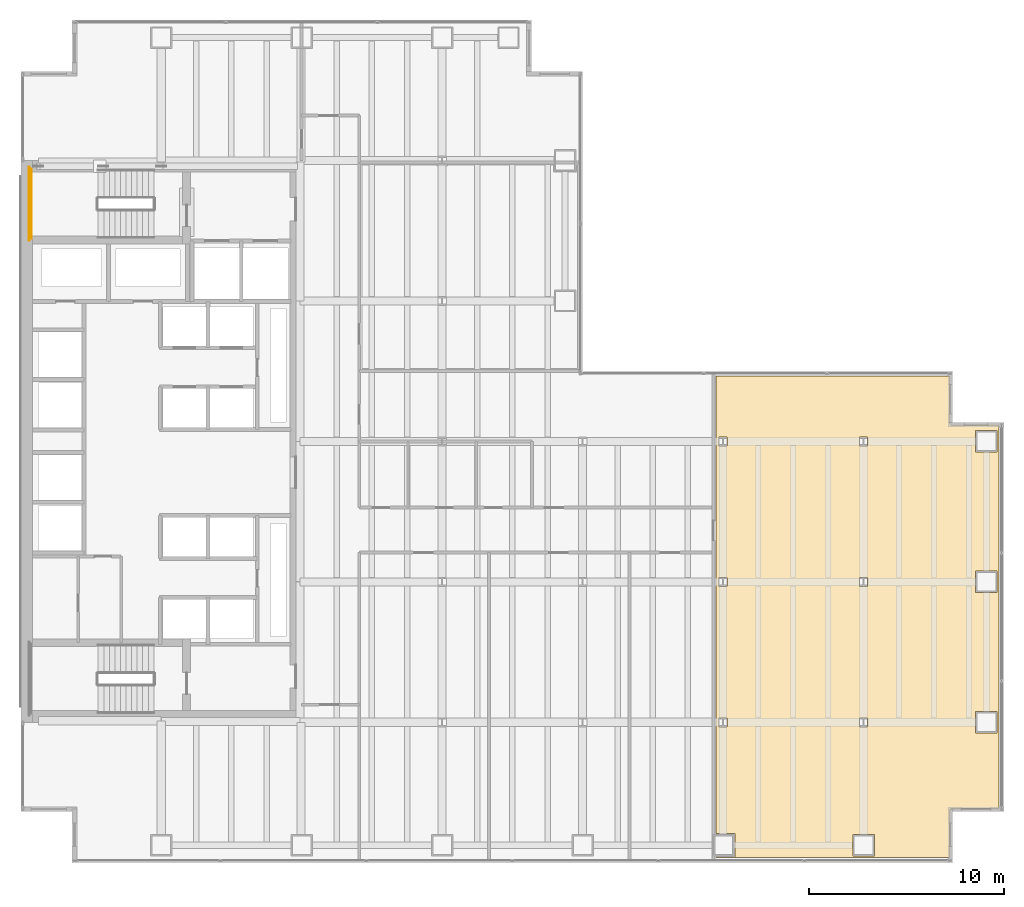
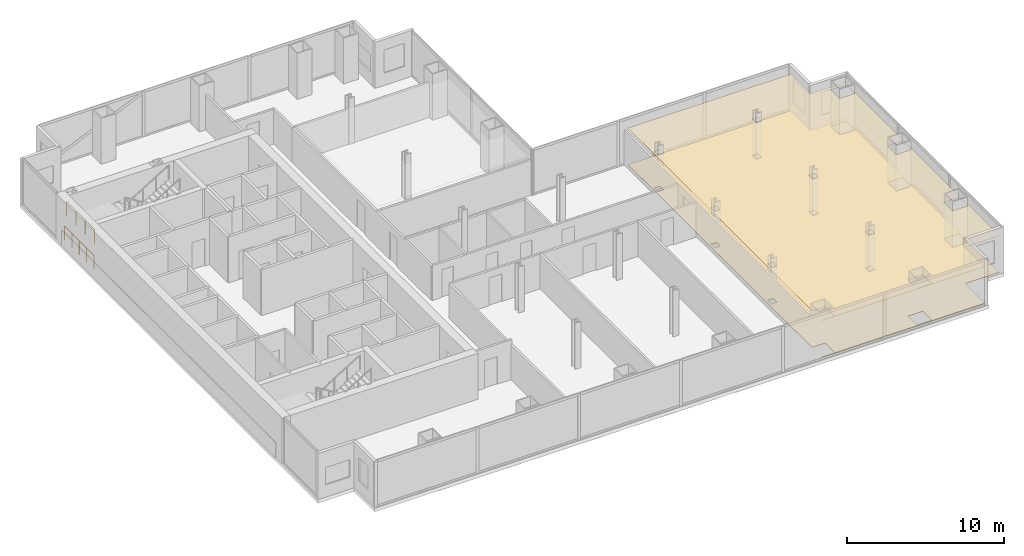
# One storey, part 24 of 25: 2 coverings, 2 railings.
"""IFC4 building model written with IfcOpenShell, lengths in metres."""

from ifc_helpers import new_model, si_unit, direction, frame, origin, origin_2d, place, context, subcontext, project, spatial, polyline, circle, outline, extrude, material, layer, layer_set, type_object, element, save


model = new_model("IFC4")

# Units and contexts
model_context = context("Model", 3, precision=1e-05, world=origin(), true_north=direction((0.0, 1.0)))
body_context = subcontext(model_context, "Body", "Model", "MODEL_VIEW")
ifc_project = project(units=[si_unit("LENGTHUNIT", "METRE"), si_unit("AREAUNIT", "SQUARE_METRE"), si_unit("VOLUMEUNIT", "CUBIC_METRE"), si_unit("PLANEANGLEUNIT", "RADIAN"), si_unit("MASSUNIT", "GRAM", prefix="KILO")], contexts=[model_context])

# Site, building, storey
site_placement = place(None, origin())
site = spatial("IfcSite", under=ifc_project, at=site_placement, CompositionType="ELEMENT")
building_placement = place(site_placement, origin())
building = spatial("IfcBuilding", under=site, at=building_placement, Name="Cobrela Telecom Tower", CompositionType="ELEMENT")
storey_placement = place(building_placement, frame((0.0, 0.0, 42.699951171875)))
storey = spatial("IfcBuildingStorey", under=building, at=storey_placement, Name="L10", CompositionType="ELEMENT", Elevation=42.699951171875)

# Coverings
ifc_material_1 = material(Name="Mineral Fibre Acoustic Ceiling Tile")
ifc_layer_1 = layer(ifc_material_1, 0.02490234375)
ifc_layer_set_1 = layer_set([ifc_layer_1], Name="Mineral Fibre Acoustic Ceiling Tile")
covering_type_1 = type_object("IfcCoveringType", Name="COV-CEIL-ACT", PredefinedType="CEILING", material=ifc_layer_set_1)
covering_1_placement = place(storey_placement, frame((0.0, 0.0, 2.85009765625)))
element("IfcCovering", 1, at=covering_1_placement, inside=storey, type_object=covering_type_1, Name="L10 Systems Engineering Studio 9 Suspended Acoustic Ceiling", PredefinedType="CEILING", context=body_context, shape_type="SweptSolid", body=[
    extrude(outline(polyline([(47.74267578125, 2.767333984375), (47.7294921875, 2.763916015625), (47.71630859375, 2.759521484375), (47.7041015625, 2.75341796875), (47.692138671875, 2.746337890625), (47.68115234375, 2.73828125), (47.6708984375, 2.72900390625), (47.66162109375, 2.71875), (47.653564453125, 2.7080078125), (47.646484375, 2.696044921875), (47.640625, 2.68359375), (47.635986328125, 2.670654296875), (47.632568359375, 2.6572265625), (47.630615234375, 2.643798828125), (47.6298828125, 2.631103515625), (47.6298828125, 0.260009765625), (35.639892578125, 0.260009765625), (35.639892578125, 0.300048828125), (36.60009765625, 0.300048828125), (36.60009765625, 1.5), (35.639892578125, 1.5), (35.639892578125, 24.93994140625), (47.6298828125, 24.93994140625), (47.6298828125, 22.569091796875), (47.630615234375, 22.556396484375), (47.632568359375, 22.542724609375), (47.635986328125, 22.529296875), (47.640625, 22.516357421875), (47.646484375, 22.50390625), (47.653564453125, 22.4921875), (47.66162109375, 22.481201171875), (47.6708984375, 22.470947265625), (47.68115234375, 22.461669921875), (47.692138671875, 22.45361328125), (47.7041015625, 22.446533203125), (47.71630859375, 22.440673828125), (47.7294921875, 22.43603515625), (47.74267578125, 22.4326171875), (47.75634765625, 22.4306640625), (47.76904296875, 22.429931640625), (50.139892578125, 22.429931640625), (50.139892578125, 2.77001953125), (47.76904296875, 2.77001953125), (47.75634765625, 2.769287109375), (47.74267578125, 2.767333984375)]), holes=[polyline([(43.75, 0.35009765625), (43.75, 1.449951171875), (42.64990234375, 1.449951171875), (42.64990234375, 0.35009765625), (43.75, 0.35009765625)]), polyline([(36.2109375, 6.967529296875), (36.2109375, 7.4326171875), (35.7890625, 7.4326171875), (35.7890625, 6.967529296875), (36.2109375, 6.967529296875)]), polyline([(43.410888671875, 6.967529296875), (43.410888671875, 7.4326171875), (42.989013671875, 7.4326171875), (42.989013671875, 6.967529296875), (43.410888671875, 6.967529296875)]), polyline([(50.050048828125, 6.64990234375), (50.050048828125, 7.75), (48.949951171875, 7.75), (48.949951171875, 6.64990234375), (50.050048828125, 6.64990234375)]), polyline([(36.2109375, 14.16748046875), (36.2109375, 14.632568359375), (35.7890625, 14.632568359375), (35.7890625, 14.16748046875), (36.2109375, 14.16748046875)]), polyline([(43.410888671875, 14.16748046875), (43.410888671875, 14.632568359375), (42.989013671875, 14.632568359375), (42.989013671875, 14.16748046875), (43.410888671875, 14.16748046875)]), polyline([(50.050048828125, 13.85009765625), (50.050048828125, 14.949951171875), (48.949951171875, 14.949951171875), (48.949951171875, 13.85009765625), (50.050048828125, 13.85009765625)]), polyline([(36.2109375, 21.367431640625), (36.2109375, 21.83251953125), (35.7890625, 21.83251953125), (35.7890625, 21.367431640625), (36.2109375, 21.367431640625)]), polyline([(43.410888671875, 21.367431640625), (43.410888671875, 21.83251953125), (42.989013671875, 21.83251953125), (42.989013671875, 21.367431640625), (43.410888671875, 21.367431640625)]), polyline([(50.050048828125, 21.050048828125), (50.050048828125, 22.14990234375), (48.949951171875, 22.14990234375), (48.949951171875, 21.050048828125), (50.050048828125, 21.050048828125)])]), origin(), (0.0, 0.0, 1.0), 0.02490234375),
])
ifc_material_2 = material(Name="Honed Colombian Basalt Stone", Category="masonry")
ifc_layer_2 = layer(ifc_material_2, 0.0400390625)
ifc_layer_set_2 = layer_set([ifc_layer_2], Name="Honed Colombian Basalt Stone")
covering_type_2 = type_object("IfcCoveringType", Name="COV-FLR-STONE", PredefinedType="FLOORING", material=ifc_layer_set_2)
covering_2_placement = place(storey_placement, origin())
element("IfcCovering", 2, at=covering_2_placement, inside=storey, type_object=covering_type_2, Name="L10 Systems Engineering Studio 9 Raised Technical Flooring", PredefinedType="FLOORING", context=body_context, shape_type="SweptSolid", body=[
    extrude(outline(polyline([(47.74267578125, 2.767333984375), (47.7294921875, 2.763916015625), (47.71630859375, 2.759521484375), (47.7041015625, 2.75341796875), (47.692138671875, 2.746337890625), (47.68115234375, 2.73828125), (47.6708984375, 2.72900390625), (47.66162109375, 2.71875), (47.653564453125, 2.7080078125), (47.646484375, 2.696044921875), (47.640625, 2.68359375), (47.635986328125, 2.670654296875), (47.632568359375, 2.6572265625), (47.630615234375, 2.643798828125), (47.6298828125, 2.631103515625), (47.6298828125, 0.260009765625), (35.639892578125, 0.260009765625), (35.639892578125, 0.300048828125), (36.60009765625, 0.300048828125), (36.60009765625, 1.5), (35.639892578125, 1.5), (35.639892578125, 24.93994140625), (47.6298828125, 24.93994140625), (47.6298828125, 22.569091796875), (47.630615234375, 22.556396484375), (47.632568359375, 22.542724609375), (47.635986328125, 22.529296875), (47.640625, 22.516357421875), (47.646484375, 22.50390625), (47.653564453125, 22.4921875), (47.66162109375, 22.481201171875), (47.6708984375, 22.470947265625), (47.68115234375, 22.461669921875), (47.692138671875, 22.45361328125), (47.7041015625, 22.446533203125), (47.71630859375, 22.440673828125), (47.7294921875, 22.43603515625), (47.74267578125, 22.4326171875), (47.75634765625, 22.4306640625), (47.76904296875, 22.429931640625), (50.139892578125, 22.429931640625), (50.139892578125, 2.77001953125), (47.76904296875, 2.77001953125), (47.75634765625, 2.769287109375), (47.74267578125, 2.767333984375)]), holes=[polyline([(43.75, 0.35009765625), (43.75, 1.449951171875), (42.64990234375, 1.449951171875), (42.64990234375, 0.35009765625), (43.75, 0.35009765625)]), polyline([(36.2109375, 6.967529296875), (36.2109375, 7.4326171875), (35.7890625, 7.4326171875), (35.7890625, 6.967529296875), (36.2109375, 6.967529296875)]), polyline([(43.410888671875, 6.967529296875), (43.410888671875, 7.4326171875), (42.989013671875, 7.4326171875), (42.989013671875, 6.967529296875), (43.410888671875, 6.967529296875)]), polyline([(50.050048828125, 6.64990234375), (50.050048828125, 7.75), (48.949951171875, 7.75), (48.949951171875, 6.64990234375), (50.050048828125, 6.64990234375)]), polyline([(36.2109375, 14.16748046875), (36.2109375, 14.632568359375), (35.7890625, 14.632568359375), (35.7890625, 14.16748046875), (36.2109375, 14.16748046875)]), polyline([(43.410888671875, 14.16748046875), (43.410888671875, 14.632568359375), (42.989013671875, 14.632568359375), (42.989013671875, 14.16748046875), (43.410888671875, 14.16748046875)]), polyline([(50.050048828125, 13.85009765625), (50.050048828125, 14.949951171875), (48.949951171875, 14.949951171875), (48.949951171875, 13.85009765625), (50.050048828125, 13.85009765625)]), polyline([(36.2109375, 21.367431640625), (36.2109375, 21.83251953125), (35.7890625, 21.83251953125), (35.7890625, 21.367431640625), (36.2109375, 21.367431640625)]), polyline([(43.410888671875, 21.367431640625), (43.410888671875, 21.83251953125), (42.989013671875, 21.83251953125), (42.989013671875, 21.367431640625), (43.410888671875, 21.367431640625)]), polyline([(50.050048828125, 21.050048828125), (50.050048828125, 22.14990234375), (48.949951171875, 22.14990234375), (48.949951171875, 21.050048828125), (50.050048828125, 21.050048828125)])]), origin(), (0.0, 0.0, 1.0), 0.0400390625),
])

# Railings
ifc_material_3 = material(Name="Steel ASTM A36", Category="steel")
railing_type = type_object("IfcRailingType", Name="RAIL-GUARD-1100", PredefinedType="GUARDRAIL", material=ifc_material_3)
railing_1_placement = place(storey_placement, frame((0.530029296875, 35.550048828125, 1.925048828125)))
element("IfcRailing", 3, at=railing_1_placement, inside=storey, type_object=railing_type, Name="L10 ST1 stair guard 3", PredefinedType="GUARDRAIL", context=body_context, shape_type="SweptSolid", body=[
    extrude(circle(Radius=0.02392578125, at=origin_2d()), frame((0.0, 0.0, 1.076171875), z_axis=(0.0, -1.0, 0.0), x_axis=(1.0, 0.0, 0.0)), (0.0, 0.0, 1.0), 3.550048828125),
    extrude(circle(Radius=0.02099609375, at=origin_2d()), origin(), (0.0, 0.0, 1.0), 1.052001953125),
    extrude(circle(Radius=0.02099609375, at=origin_2d()), frame((0.0, -1.183349609375, 0.0)), (0.0, 0.0, 1.0), 1.052001953125),
    extrude(circle(Radius=0.02099609375, at=origin_2d()), frame((0.0, -2.36669921875, 0.0)), (0.0, 0.0, 1.0), 1.052001953125),
    extrude(circle(Radius=0.02099609375, at=origin_2d()), frame((0.0, -3.550048828125, 0.0)), (0.0, 0.0, 1.0), 1.052001953125),
])
railing_2_placement = place(storey_placement, frame((0.429931640625, 35.64990234375, 0.0)))
element("IfcRailing", 4, at=railing_2_placement, inside=storey, type_object=railing_type, Name="L10 ST1 stair guard 6", PredefinedType="GUARDRAIL", context=body_context, shape_type="SweptSolid", body=[
    extrude(circle(Radius=0.02392578125, at=origin_2d()), frame((0.0, 0.0, 1.076171875), z_axis=(0.0, -1.0, 0.0), x_axis=(1.0, 0.0, 0.0)), (0.0, 0.0, 1.0), 3.75),
    extrude(circle(Radius=0.02099609375, at=origin_2d()), origin(), (0.0, 0.0, 1.0), 1.052001953125),
    extrude(circle(Radius=0.02099609375, at=origin_2d()), frame((0.0, -0.9375, 0.0)), (0.0, 0.0, 1.0), 1.052001953125),
    extrude(circle(Radius=0.02099609375, at=origin_2d()), frame((0.0, -1.875, 0.0)), (0.0, 0.0, 1.0), 1.052001953125),
    extrude(circle(Radius=0.02099609375, at=origin_2d()), frame((0.0, -2.8125, 0.0)), (0.0, 0.0, 1.0), 1.052001953125),
    extrude(circle(Radius=0.02099609375, at=origin_2d()), frame((0.0, -3.75, 0.0)), (0.0, 0.0, 1.0), 1.052001953125),
])

save(model, "model.ifc")
